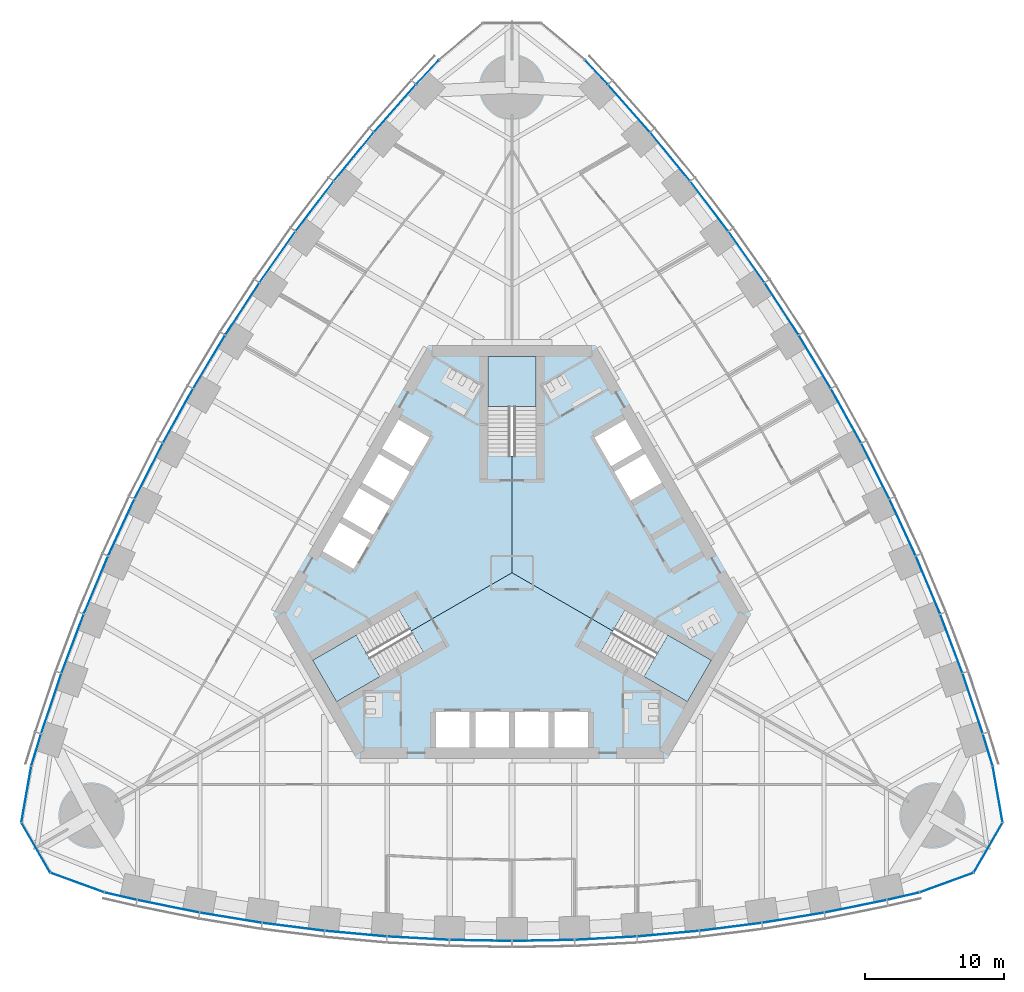
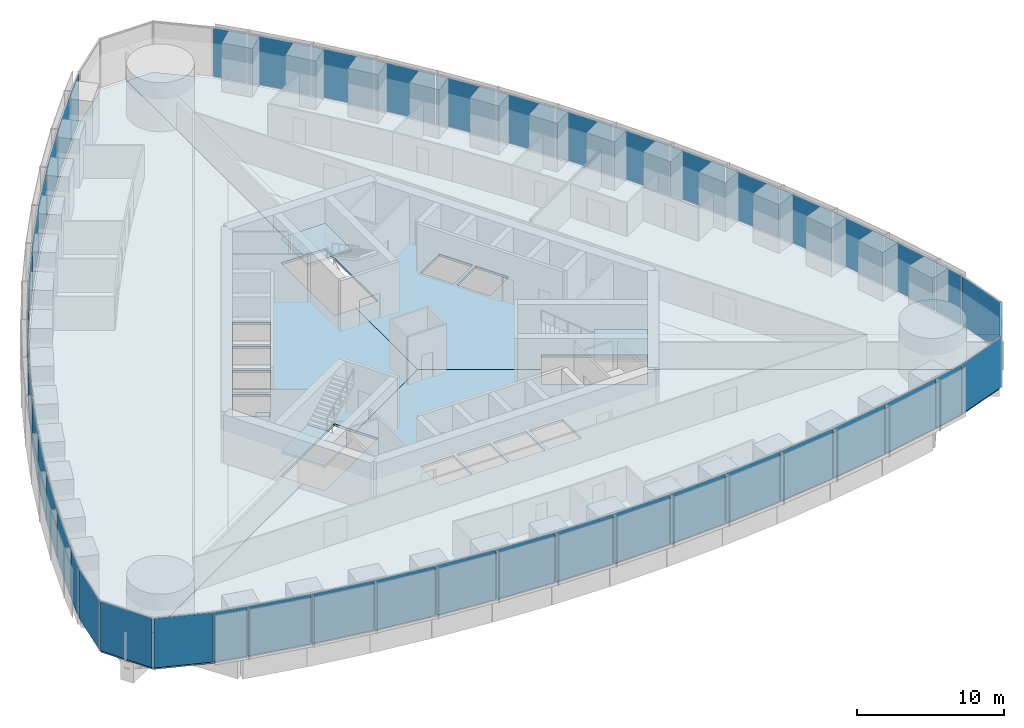
# One storey, part 9 of 18: 48 plates, 6 slabs, 8 elements without a shape of their own.
"""IFC4 building model written with IfcOpenShell, lengths in metres."""

from ifc_helpers import new_model, si_unit, direction, frame, origin, origin_2d, place, context, subcontext, project, spatial, polyline, rectangle, outline, extrude, material, layer, layer_set, type_object, element, aggregate, save


model = new_model("IFC4")

# Units and contexts
model_context = context("Model", 3, precision=1e-05, world=origin(), true_north=direction((0.0, 1.0)))
body_context = subcontext(model_context, "Body", "Model", "MODEL_VIEW")
ifc_project = project(units=[si_unit("LENGTHUNIT", "METRE"), si_unit("AREAUNIT", "SQUARE_METRE"), si_unit("VOLUMEUNIT", "CUBIC_METRE"), si_unit("PLANEANGLEUNIT", "RADIAN"), si_unit("MASSUNIT", "GRAM", prefix="KILO")], contexts=[model_context])

# Site, building, storey
site_placement = place(None, origin())
site = spatial("IfcSite", under=ifc_project, at=site_placement, CompositionType="ELEMENT")
building_placement = place(site_placement, origin())
building = spatial("IfcBuilding", under=site, at=building_placement, Name="Trefoil Bronze Tower", CompositionType="ELEMENT")
storey_placement = place(building_placement, frame((0.0, 0.0, 115.699951171875)))
storey = spatial("IfcBuildingStorey", under=building, at=storey_placement, Name="L26", CompositionType="ELEMENT", Elevation=115.699951171875)

# Curtain wall, plates
ifc_material_1 = material(Name="Tinted solar-control glass", Category="glass")
curtain_wall_type_1 = type_object("IfcCurtainWallType", Name="Bronze office curtain wall", PredefinedType="USERDEFINED", material=ifc_material_1)
curtain_wall_1_placement = place(storey_placement, origin())
curtain_wall_1 = element("IfcCurtainWall", 1, at=curtain_wall_1_placement, inside=storey, type_object=curtain_wall_type_1, Name="CW-A L26 F1", ObjectType="CURTAIN WALL", PredefinedType="USERDEFINED")
ifc_material_2 = material(Name="Tinted solar-control glass", Category="glass")
ifc_layer_1 = layer(ifc_material_2, 0.030029296875)
ifc_layer_set_1 = layer_set([ifc_layer_1], Name="Bronze office curtain wall glass panel")
plate_type_1 = type_object("IfcPlateType", Name="Bronze office curtain wall glass panel", PredefinedType="CURTAIN_PANEL", material=ifc_layer_set_1)
plate_1_placement = place(storey_placement, frame((-28.201416015625, -23.320068359375, 0.0), z_axis=(0.0, 0.0, 1.0), x_axis=(0.97420444715, -0.225667222151, 0.0)))
plate_1 = element("IfcPlate", 2, at=plate_1_placement, type_object=plate_type_1, Name="CW-A L26 F1 panel 1", PredefinedType="CURTAIN_PANEL", context=body_context, shape_type="SweptSolid", body=[
    extrude(rectangle(XDim=2.340087890625, YDim=0.030029296875, at=origin_2d()), origin(), (0.0, 0.0, 1.0), 4.080078125),
])
plate_2_placement = place(storey_placement, frame((-24.769775390625, -24.048828125, 0.0), z_axis=(0.0, 0.0, 1.0), x_axis=(0.980155155547, -0.198231861853, 0.0)))
plate_2 = element("IfcPlate", 3, at=plate_2_placement, type_object=plate_type_1, Name="CW-A L26 F1 panel 2", PredefinedType="CURTAIN_PANEL", context=body_context, shape_type="SweptSolid", body=[
    extrude(rectangle(XDim=4.51123046875, YDim=0.030029296875, at=origin_2d()), origin(), (0.0, 0.0, 1.0), 4.080078125),
])
plate_3_placement = place(storey_placement, frame((-20.26611328125, -24.87451171875, 0.0), z_axis=(0.0, 0.0, 1.0), x_axis=(0.986759655731, -0.162189339418, 0.0)))
plate_3 = element("IfcPlate", 4, at=plate_3_placement, type_object=plate_type_1, Name="CW-A L26 F1 panel 3", PredefinedType="CURTAIN_PANEL", context=body_context, shape_type="SweptSolid", body=[
    extrude(rectangle(XDim=4.48046875, YDim=0.030029296875, at=origin_2d()), origin(), (0.0, 0.0, 1.0), 4.080078125),
])
plate_4_placement = place(storey_placement, frame((-15.7626953125, -25.53076171875, 0.0), z_axis=(0.0, 0.0, 1.0), x_axis=(0.992011554286, -0.126147041833, 0.0)))
plate_4 = element("IfcPlate", 5, at=plate_4_placement, type_object=plate_type_1, Name="CW-A L26 F1 panel 4", PredefinedType="CURTAIN_PANEL", context=body_context, shape_type="SweptSolid", body=[
    extrude(rectangle(XDim=4.456298828125, YDim=0.030029296875, at=origin_2d()), origin(), (0.0, 0.0, 1.0), 4.080078125),
])
plate_5_placement = place(storey_placement, frame((-11.259033203125, -26.02099609375, 0.0), z_axis=(0.0, 0.0, 1.0), x_axis=(0.995932279146, -0.090104913044, 0.0)))
plate_5 = element("IfcPlate", 6, at=plate_5_placement, type_object=plate_type_1, Name="CW-A L26 F1 panel 5", PredefinedType="CURTAIN_PANEL", context=body_context, shape_type="SweptSolid", body=[
    extrude(rectangle(XDim=4.4384765625, YDim=0.030029296875, at=origin_2d()), origin(), (0.0, 0.0, 1.0), 4.080078125),
])
plate_6_placement = place(storey_placement, frame((-6.75537109375, -26.3466796875, 0.0), z_axis=(0.0, 0.0, 1.0), x_axis=(0.998537531923, -0.054062901701, 0.0)))
plate_6 = element("IfcPlate", 7, at=plate_6_placement, type_object=plate_type_1, Name="CW-A L26 F1 panel 6", PredefinedType="CURTAIN_PANEL", context=body_context, shape_type="SweptSolid", body=[
    extrude(rectangle(XDim=4.426513671875, YDim=0.030029296875, at=origin_2d()), origin(), (0.0, 0.0, 1.0), 4.080078125),
])
plate_7_placement = place(storey_placement, frame((-2.251708984375, -26.509033203125, 0.0), z_axis=(0.0, 0.0, 1.0), x_axis=(0.999837609322, -0.018020959612, 0.0)))
plate_7 = element("IfcPlate", 8, at=plate_7_placement, type_object=plate_type_1, Name="CW-A L26 F1 panel 7", PredefinedType="CURTAIN_PANEL", context=body_context, shape_type="SweptSolid", body=[
    extrude(rectangle(XDim=4.420654296875, YDim=0.030029296875, at=origin_2d()), origin(), (0.0, 0.0, 1.0), 4.080078125),
])
plate_8_placement = place(storey_placement, frame((2.251708984375, -26.509033203125, 0.0), z_axis=(0.0, 0.0, 1.0), x_axis=(0.999837609322, 0.018020959612, 0.0)))
plate_8 = element("IfcPlate", 9, at=plate_8_placement, type_object=plate_type_1, Name="CW-A L26 F1 panel 8", PredefinedType="CURTAIN_PANEL", context=body_context, shape_type="SweptSolid", body=[
    extrude(rectangle(XDim=4.420654296875, YDim=0.030029296875, at=origin_2d()), origin(), (0.0, 0.0, 1.0), 4.080078125),
])
plate_9_placement = place(storey_placement, frame((6.75537109375, -26.3466796875, 0.0), z_axis=(0.0, 0.0, 1.0), x_axis=(0.998537531923, 0.054062901701, 0.0)))
plate_9 = element("IfcPlate", 10, at=plate_9_placement, type_object=plate_type_1, Name="CW-A L26 F1 panel 9", PredefinedType="CURTAIN_PANEL", context=body_context, shape_type="SweptSolid", body=[
    extrude(rectangle(XDim=4.426513671875, YDim=0.030029296875, at=origin_2d()), origin(), (0.0, 0.0, 1.0), 4.080078125),
])
plate_10_placement = place(storey_placement, frame((11.259033203125, -26.02099609375, 0.0), z_axis=(0.0, 0.0, 1.0), x_axis=(0.995932279146, 0.090104913044, 0.0)))
plate_10 = element("IfcPlate", 11, at=plate_10_placement, type_object=plate_type_1, Name="CW-A L26 F1 panel 10", PredefinedType="CURTAIN_PANEL", context=body_context, shape_type="SweptSolid", body=[
    extrude(rectangle(XDim=4.4384765625, YDim=0.030029296875, at=origin_2d()), origin(), (0.0, 0.0, 1.0), 4.080078125),
])
plate_11_placement = place(storey_placement, frame((15.7626953125, -25.53076171875, 0.0), z_axis=(0.0, 0.0, 1.0), x_axis=(0.992011554286, 0.126147041833, 0.0)))
plate_11 = element("IfcPlate", 12, at=plate_11_placement, type_object=plate_type_1, Name="CW-A L26 F1 panel 11", PredefinedType="CURTAIN_PANEL", context=body_context, shape_type="SweptSolid", body=[
    extrude(rectangle(XDim=4.456298828125, YDim=0.030029296875, at=origin_2d()), origin(), (0.0, 0.0, 1.0), 4.080078125),
])
plate_12_placement = place(storey_placement, frame((20.26611328125, -24.87451171875, 0.0), z_axis=(0.0, 0.0, 1.0), x_axis=(0.986759655731, 0.162189339418, 0.0)))
plate_12 = element("IfcPlate", 13, at=plate_12_placement, type_object=plate_type_1, Name="CW-A L26 F1 panel 12", PredefinedType="CURTAIN_PANEL", context=body_context, shape_type="SweptSolid", body=[
    extrude(rectangle(XDim=4.48046875, YDim=0.030029296875, at=origin_2d()), origin(), (0.0, 0.0, 1.0), 4.080078125),
])
plate_13_placement = place(storey_placement, frame((24.769775390625, -24.048828125, 0.0), z_axis=(0.0, 0.0, 1.0), x_axis=(0.980155155547, 0.198231861853, 0.0)))
plate_13 = element("IfcPlate", 14, at=plate_13_placement, type_object=plate_type_1, Name="CW-A L26 F1 panel 13", PredefinedType="CURTAIN_PANEL", context=body_context, shape_type="SweptSolid", body=[
    extrude(rectangle(XDim=4.51123046875, YDim=0.030029296875, at=origin_2d()), origin(), (0.0, 0.0, 1.0), 4.080078125),
])
plate_14_placement = place(storey_placement, frame((28.201416015625, -23.320068359375, 0.0), z_axis=(0.0, 0.0, 1.0), x_axis=(0.97420444715, 0.225667222151, 0.0)))
plate_14 = element("IfcPlate", 15, at=plate_14_placement, type_object=plate_type_1, Name="CW-A L26 F1 panel 14", PredefinedType="CURTAIN_PANEL", context=body_context, shape_type="SweptSolid", body=[
    extrude(rectangle(XDim=2.340087890625, YDim=0.030029296875, at=origin_2d()), origin(), (0.0, 0.0, 1.0), 4.080078125),
])
aggregate(curtain_wall_1, [plate_1, plate_2, plate_3, plate_4, plate_5, plate_6, plate_7, plate_8, plate_9, plate_10, plate_11, plate_12, plate_13, plate_14])

curtain_wall_2_placement = place(storey_placement, origin())
curtain_wall_2 = element("IfcCurtainWall", 16, at=curtain_wall_2_placement, inside=storey, type_object=curtain_wall_type_1, Name="CW-A L26 F2", ObjectType="CURTAIN WALL", PredefinedType="USERDEFINED")
plate_15_placement = place(storey_placement, frame((34.296630859375, -12.762939453125, 0.0), z_axis=(0.0, 0.0, 1.0), x_axis=(-0.291668676391, 0.956519410787, 0.0)))
plate_15 = element("IfcPlate", 17, at=plate_15_placement, type_object=plate_type_1, Name="CW-A L26 F2 panel 1", PredefinedType="CURTAIN_PANEL", context=body_context, shape_type="SweptSolid", body=[
    extrude(rectangle(XDim=2.340087890625, YDim=0.030029296875, at=origin_2d()), origin(), (0.0, 0.0, 1.0), 4.080078125),
])
plate_16_placement = place(storey_placement, frame((33.2119140625, -9.4267578125, 0.0), z_axis=(0.0, 0.0, 1.0), x_axis=(-0.318403749569, 0.947955195281, 0.0)))
plate_16 = element("IfcPlate", 18, at=plate_16_placement, type_object=plate_type_1, Name="CW-A L26 F2 panel 2", PredefinedType="CURTAIN_PANEL", context=body_context, shape_type="SweptSolid", body=[
    extrude(rectangle(XDim=4.51123046875, YDim=0.030029296875, at=origin_2d()), origin(), (0.0, 0.0, 1.0), 4.080078125),
])
plate_17_placement = place(storey_placement, frame((31.675048828125, -5.11376953125, 0.0), z_axis=(0.0, 0.0, 1.0), x_axis=(-0.352919739707, 0.935653599002, 0.0)))
plate_17 = element("IfcPlate", 19, at=plate_17_placement, type_object=plate_type_1, Name="CW-A L26 F2 panel 3", PredefinedType="CURTAIN_PANEL", context=body_context, shape_type="SweptSolid", body=[
    extrude(rectangle(XDim=4.48046875, YDim=0.030029296875, at=origin_2d()), origin(), (0.0, 0.0, 1.0), 4.080078125),
])
plate_18_placement = place(storey_placement, frame((29.99169921875, -0.885498046875, 0.0), z_axis=(0.0, 0.0, 1.0), x_axis=(-0.386759234303, 0.922180727776, 0.0)))
plate_18 = element("IfcPlate", 20, at=plate_18_placement, type_object=plate_type_1, Name="CW-A L26 F2 panel 4", PredefinedType="CURTAIN_PANEL", context=body_context, shape_type="SweptSolid", body=[
    extrude(rectangle(XDim=4.456298828125, YDim=0.030029296875, at=origin_2d()), origin(), (0.0, 0.0, 1.0), 4.080078125),
])
plate_19_placement = place(storey_placement, frame((28.164306640625, 3.260009765625, 0.0), z_axis=(0.0, 0.0, 1.0), x_axis=(-0.419932995871, 0.907555110712, 0.0)))
plate_19 = element("IfcPlate", 21, at=plate_19_placement, type_object=plate_type_1, Name="CW-A L26 F2 panel 5", PredefinedType="CURTAIN_PANEL", context=body_context, shape_type="SweptSolid", body=[
    extrude(rectangle(XDim=4.4384765625, YDim=0.030029296875, at=origin_2d()), origin(), (0.0, 0.0, 1.0), 4.080078125),
])
plate_20_placement = place(storey_placement, frame((26.194580078125, 7.322998046875, 0.0), z_axis=(0.0, 0.0, 1.0), x_axis=(-0.452448919686, 0.891790320128, 0.0)))
plate_20 = element("IfcPlate", 22, at=plate_20_placement, type_object=plate_type_1, Name="CW-A L26 F2 panel 6", PredefinedType="CURTAIN_PANEL", context=body_context, shape_type="SweptSolid", body=[
    extrude(rectangle(XDim=4.426513671875, YDim=0.030029296875, at=origin_2d()), origin(), (0.0, 0.0, 1.0), 4.080078125),
])
plate_21_placement = place(storey_placement, frame((24.08349609375, 11.304443359375, 0.0), z_axis=(0.0, 0.0, 1.0), x_axis=(-0.484312195836, 0.874895249138, 0.0)))
plate_21 = element("IfcPlate", 23, at=plate_21_placement, type_object=plate_type_1, Name="CW-A L26 F2 panel 7", PredefinedType="CURTAIN_PANEL", context=body_context, shape_type="SweptSolid", body=[
    extrude(rectangle(XDim=4.420654296875, YDim=0.030029296875, at=origin_2d()), origin(), (0.0, 0.0, 1.0), 4.080078125),
])
plate_22_placement = place(storey_placement, frame((21.83154296875, 15.20458984375, 0.0), z_axis=(0.0, 0.0, 1.0), x_axis=(-0.515525413486, 0.856874289526, 0.0)))
plate_22 = element("IfcPlate", 24, at=plate_22_placement, type_object=plate_type_1, Name="CW-A L26 F2 panel 8", PredefinedType="CURTAIN_PANEL", context=body_context, shape_type="SweptSolid", body=[
    extrude(rectangle(XDim=4.420654296875, YDim=0.030029296875, at=origin_2d()), origin(), (0.0, 0.0, 1.0), 4.080078125),
])
plate_23_placement = place(storey_placement, frame((19.439208984375, 19.023681640625, 0.0), z_axis=(0.0, 0.0, 1.0), x_axis=(-0.546088612237, 0.837727418427, 0.0)))
plate_23 = element("IfcPlate", 25, at=plate_23_placement, type_object=plate_type_1, Name="CW-A L26 F2 panel 9", PredefinedType="CURTAIN_PANEL", context=body_context, shape_type="SweptSolid", body=[
    extrude(rectangle(XDim=4.426513671875, YDim=0.030029296875, at=origin_2d()), origin(), (0.0, 0.0, 1.0), 4.080078125),
])
plate_24_placement = place(storey_placement, frame((16.9052734375, 22.760986328125, 0.0), z_axis=(0.0, 0.0, 1.0), x_axis=(-0.575999283275, 0.817450197667, 0.0)))
plate_24 = element("IfcPlate", 26, at=plate_24_placement, type_object=plate_type_1, Name="CW-A L26 F2 panel 10", PredefinedType="CURTAIN_PANEL", context=body_context, shape_type="SweptSolid", body=[
    extrude(rectangle(XDim=4.4384765625, YDim=0.030029296875, at=origin_2d()), origin(), (0.0, 0.0, 1.0), 4.080078125),
])
plate_25_placement = place(storey_placement, frame((14.22900390625, 26.416259765625, 0.0), z_axis=(0.0, 0.0, 1.0), x_axis=(-0.605252319983, 0.796033685943, 0.0)))
plate_25 = element("IfcPlate", 27, at=plate_25_placement, type_object=plate_type_1, Name="CW-A L26 F2 panel 11", PredefinedType="CURTAIN_PANEL", context=body_context, shape_type="SweptSolid", body=[
    extrude(rectangle(XDim=4.456298828125, YDim=0.030029296875, at=origin_2d()), origin(), (0.0, 0.0, 1.0), 4.080078125),
])
plate_26_placement = place(storey_placement, frame((11.40869140625, 29.98828125, 0.0), z_axis=(0.0, 0.0, 1.0), x_axis=(-0.633839916024, 0.773464259584, 0.0)))
plate_26 = element("IfcPlate", 28, at=plate_26_placement, type_object=plate_type_1, Name="CW-A L26 F2 panel 12", PredefinedType="CURTAIN_PANEL", context=body_context, shape_type="SweptSolid", body=[
    extrude(rectangle(XDim=4.48046875, YDim=0.030029296875, at=origin_2d()), origin(), (0.0, 0.0, 1.0), 4.080078125),
])
plate_27_placement = place(storey_placement, frame((8.442138671875, 33.475830078125, 0.0), z_axis=(0.0, 0.0, 1.0), x_axis=(-0.661751405978, 0.749723333428, 0.0)))
plate_27 = element("IfcPlate", 29, at=plate_27_placement, type_object=plate_type_1, Name="CW-A L26 F2 panel 13", PredefinedType="CURTAIN_PANEL", context=body_context, shape_type="SweptSolid", body=[
    extrude(rectangle(XDim=4.51123046875, YDim=0.030029296875, at=origin_2d()), origin(), (0.0, 0.0, 1.0), 4.080078125),
])
plate_28_placement = place(storey_placement, frame((6.09521484375, 36.083251953125, 0.0), z_axis=(0.0, 0.0, 1.0), x_axis=(-0.682535770759, 0.730852188636, 0.0)))
plate_28 = element("IfcPlate", 30, at=plate_28_placement, type_object=plate_type_1, Name="CW-A L26 F2 panel 14", PredefinedType="CURTAIN_PANEL", context=body_context, shape_type="SweptSolid", body=[
    extrude(rectangle(XDim=2.340087890625, YDim=0.030029296875, at=origin_2d()), origin(), (0.0, 0.0, 1.0), 4.080078125),
])
aggregate(curtain_wall_2, [plate_15, plate_16, plate_17, plate_18, plate_19, plate_20, plate_21, plate_22, plate_23, plate_24, plate_25, plate_26, plate_27, plate_28])

curtain_wall_3_placement = place(storey_placement, origin())
curtain_wall_3 = element("IfcCurtainWall", 31, at=curtain_wall_3_placement, inside=storey, type_object=curtain_wall_type_1, Name="CW-A L26 F3", ObjectType="CURTAIN WALL", PredefinedType="USERDEFINED")
plate_29_placement = place(storey_placement, frame((-6.09521484375, 36.083251953125, 0.0), z_axis=(0.0, 0.0, 1.0), x_axis=(-0.682535770759, -0.730852188636, 0.0)))
plate_29 = element("IfcPlate", 32, at=plate_29_placement, type_object=plate_type_1, Name="CW-A L26 F3 panel 1", PredefinedType="CURTAIN_PANEL", context=body_context, shape_type="SweptSolid", body=[
    extrude(rectangle(XDim=2.340087890625, YDim=0.030029296875, at=origin_2d()), origin(), (0.0, 0.0, 1.0), 4.080078125),
])
plate_30_placement = place(storey_placement, frame((-8.442138671875, 33.475830078125, 0.0), z_axis=(0.0, 0.0, 1.0), x_axis=(-0.661751405978, -0.749723333428, 0.0)))
plate_30 = element("IfcPlate", 33, at=plate_30_placement, type_object=plate_type_1, Name="CW-A L26 F3 panel 2", PredefinedType="CURTAIN_PANEL", context=body_context, shape_type="SweptSolid", body=[
    extrude(rectangle(XDim=4.51123046875, YDim=0.030029296875, at=origin_2d()), origin(), (0.0, 0.0, 1.0), 4.080078125),
])
plate_31_placement = place(storey_placement, frame((-11.40869140625, 29.98828125, 0.0), z_axis=(0.0, 0.0, 1.0), x_axis=(-0.633839916024, -0.773464259584, 0.0)))
plate_31 = element("IfcPlate", 34, at=plate_31_placement, type_object=plate_type_1, Name="CW-A L26 F3 panel 3", PredefinedType="CURTAIN_PANEL", context=body_context, shape_type="SweptSolid", body=[
    extrude(rectangle(XDim=4.48046875, YDim=0.030029296875, at=origin_2d()), origin(), (0.0, 0.0, 1.0), 4.080078125),
])
plate_32_placement = place(storey_placement, frame((-14.22900390625, 26.416259765625, 0.0), z_axis=(0.0, 0.0, 1.0), x_axis=(-0.605252319983, -0.796033685943, 0.0)))
plate_32 = element("IfcPlate", 35, at=plate_32_placement, type_object=plate_type_1, Name="CW-A L26 F3 panel 4", PredefinedType="CURTAIN_PANEL", context=body_context, shape_type="SweptSolid", body=[
    extrude(rectangle(XDim=4.456298828125, YDim=0.030029296875, at=origin_2d()), origin(), (0.0, 0.0, 1.0), 4.080078125),
])
plate_33_placement = place(storey_placement, frame((-16.9052734375, 22.760986328125, 0.0), z_axis=(0.0, 0.0, 1.0), x_axis=(-0.575999283275, -0.817450197667, 0.0)))
plate_33 = element("IfcPlate", 36, at=plate_33_placement, type_object=plate_type_1, Name="CW-A L26 F3 panel 5", PredefinedType="CURTAIN_PANEL", context=body_context, shape_type="SweptSolid", body=[
    extrude(rectangle(XDim=4.4384765625, YDim=0.030029296875, at=origin_2d()), origin(), (0.0, 0.0, 1.0), 4.080078125),
])
plate_34_placement = place(storey_placement, frame((-19.439208984375, 19.023681640625, 0.0), z_axis=(0.0, 0.0, 1.0), x_axis=(-0.546088612237, -0.837727418427, 0.0)))
plate_34 = element("IfcPlate", 37, at=plate_34_placement, type_object=plate_type_1, Name="CW-A L26 F3 panel 6", PredefinedType="CURTAIN_PANEL", context=body_context, shape_type="SweptSolid", body=[
    extrude(rectangle(XDim=4.426513671875, YDim=0.030029296875, at=origin_2d()), origin(), (0.0, 0.0, 1.0), 4.080078125),
])
plate_35_placement = place(storey_placement, frame((-21.83154296875, 15.20458984375, 0.0), z_axis=(0.0, 0.0, 1.0), x_axis=(-0.515525413486, -0.856874289526, 0.0)))
plate_35 = element("IfcPlate", 38, at=plate_35_placement, type_object=plate_type_1, Name="CW-A L26 F3 panel 7", PredefinedType="CURTAIN_PANEL", context=body_context, shape_type="SweptSolid", body=[
    extrude(rectangle(XDim=4.420654296875, YDim=0.030029296875, at=origin_2d()), origin(), (0.0, 0.0, 1.0), 4.080078125),
])
plate_36_placement = place(storey_placement, frame((-24.08349609375, 11.304443359375, 0.0), z_axis=(0.0, 0.0, 1.0), x_axis=(-0.484312195836, -0.874895249138, 0.0)))
plate_36 = element("IfcPlate", 39, at=plate_36_placement, type_object=plate_type_1, Name="CW-A L26 F3 panel 8", PredefinedType="CURTAIN_PANEL", context=body_context, shape_type="SweptSolid", body=[
    extrude(rectangle(XDim=4.420654296875, YDim=0.030029296875, at=origin_2d()), origin(), (0.0, 0.0, 1.0), 4.080078125),
])
plate_37_placement = place(storey_placement, frame((-26.194580078125, 7.322998046875, 0.0), z_axis=(0.0, 0.0, 1.0), x_axis=(-0.452448919686, -0.891790320128, 0.0)))
plate_37 = element("IfcPlate", 40, at=plate_37_placement, type_object=plate_type_1, Name="CW-A L26 F3 panel 9", PredefinedType="CURTAIN_PANEL", context=body_context, shape_type="SweptSolid", body=[
    extrude(rectangle(XDim=4.426513671875, YDim=0.030029296875, at=origin_2d()), origin(), (0.0, 0.0, 1.0), 4.080078125),
])
plate_38_placement = place(storey_placement, frame((-28.164306640625, 3.260009765625, 0.0), z_axis=(0.0, 0.0, 1.0), x_axis=(-0.419932995871, -0.907555110712, 0.0)))
plate_38 = element("IfcPlate", 41, at=plate_38_placement, type_object=plate_type_1, Name="CW-A L26 F3 panel 10", PredefinedType="CURTAIN_PANEL", context=body_context, shape_type="SweptSolid", body=[
    extrude(rectangle(XDim=4.4384765625, YDim=0.030029296875, at=origin_2d()), origin(), (0.0, 0.0, 1.0), 4.080078125),
])
plate_39_placement = place(storey_placement, frame((-29.99169921875, -0.885498046875, 0.0), z_axis=(0.0, 0.0, 1.0), x_axis=(-0.386759234303, -0.922180727776, 0.0)))
plate_39 = element("IfcPlate", 42, at=plate_39_placement, type_object=plate_type_1, Name="CW-A L26 F3 panel 11", PredefinedType="CURTAIN_PANEL", context=body_context, shape_type="SweptSolid", body=[
    extrude(rectangle(XDim=4.456298828125, YDim=0.030029296875, at=origin_2d()), origin(), (0.0, 0.0, 1.0), 4.080078125),
])
plate_40_placement = place(storey_placement, frame((-31.675048828125, -5.11376953125, 0.0), z_axis=(0.0, 0.0, 1.0), x_axis=(-0.352919739707, -0.935653599002, 0.0)))
plate_40 = element("IfcPlate", 43, at=plate_40_placement, type_object=plate_type_1, Name="CW-A L26 F3 panel 12", PredefinedType="CURTAIN_PANEL", context=body_context, shape_type="SweptSolid", body=[
    extrude(rectangle(XDim=4.48046875, YDim=0.030029296875, at=origin_2d()), origin(), (0.0, 0.0, 1.0), 4.080078125),
])
plate_41_placement = place(storey_placement, frame((-33.2119140625, -9.4267578125, 0.0), z_axis=(0.0, 0.0, 1.0), x_axis=(-0.318403749569, -0.947955195281, 0.0)))
plate_41 = element("IfcPlate", 44, at=plate_41_placement, type_object=plate_type_1, Name="CW-A L26 F3 panel 13", PredefinedType="CURTAIN_PANEL", context=body_context, shape_type="SweptSolid", body=[
    extrude(rectangle(XDim=4.51123046875, YDim=0.030029296875, at=origin_2d()), origin(), (0.0, 0.0, 1.0), 4.080078125),
])
plate_42_placement = place(storey_placement, frame((-34.296630859375, -12.762939453125, 0.0), z_axis=(0.0, 0.0, 1.0), x_axis=(-0.291668676391, -0.956519410787, 0.0)))
plate_42 = element("IfcPlate", 45, at=plate_42_placement, type_object=plate_type_1, Name="CW-A L26 F3 panel 14", PredefinedType="CURTAIN_PANEL", context=body_context, shape_type="SweptSolid", body=[
    extrude(rectangle(XDim=2.340087890625, YDim=0.030029296875, at=origin_2d()), origin(), (0.0, 0.0, 1.0), 4.080078125),
])
aggregate(curtain_wall_3, [plate_29, plate_30, plate_31, plate_32, plate_33, plate_34, plate_35, plate_36, plate_37, plate_38, plate_39, plate_40, plate_41, plate_42])

ifc_material_3 = material(Name="Tinted solar-control glass", Category="glass")
curtain_wall_type_2 = type_object("IfcCurtainWallType", Name="Bronze rounded corner curtain wall", PredefinedType="USERDEFINED", material=ifc_material_3)
curtain_wall_4_placement = place(storey_placement, origin())
curtain_wall_4 = element("IfcCurtainWall", 46, at=curtain_wall_4_placement, inside=storey, type_object=curtain_wall_type_2, Name="CW-B L26 K1", ObjectType="CURTAIN WALL", PredefinedType="USERDEFINED")
ifc_material_4 = material(Name="Tinted solar-control glass", Category="glass")
ifc_layer_2 = layer(ifc_material_4, 0.030029296875)
ifc_layer_set_2 = layer_set([ifc_layer_2], Name="Bronze rounded corner curtain wall glass panel")
plate_type_2 = type_object("IfcPlateType", Name="Bronze rounded corner curtain wall glass panel", PredefinedType="CURTAIN_PANEL", material=ifc_layer_set_2)
plate_43_placement = place(storey_placement, frame((31.3203125, -22.341796875, 0.0), z_axis=(0.0, 0.0, 1.0), x_axis=(0.939692620786, 0.342020143326, 0.0)))
plate_43 = element("IfcPlate", 47, at=plate_43_placement, type_object=plate_type_2, Name="CW-B L26 K1 panel 1", PredefinedType="CURTAIN_PANEL", context=body_context, shape_type="SweptSolid", body=[
    extrude(rectangle(XDim=4.044189453125, YDim=0.030029296875, at=origin_2d()), origin(), (0.0, 0.0, 1.0), 4.080078125),
])
plate_44_placement = place(storey_placement, frame((34.3271484375, -19.81884765625, 0.0), z_axis=(0.0, 0.0, 1.0), x_axis=(0.5, 0.866025403784, 0.0)))
plate_44 = element("IfcPlate", 48, at=plate_44_placement, type_object=plate_type_2, Name="CW-B L26 K1 panel 2", PredefinedType="CURTAIN_PANEL", context=body_context, shape_type="SweptSolid", body=[
    extrude(rectangle(XDim=4.044189453125, YDim=0.030029296875, at=origin_2d()), origin(), (0.0, 0.0, 1.0), 4.080078125),
])
plate_45_placement = place(storey_placement, frame((35.0087890625, -15.953369140625, 0.0), z_axis=(0.0, 0.0, 1.0), x_axis=(-0.173648177667, 0.984807753012, 0.0)))
plate_45 = element("IfcPlate", 49, at=plate_45_placement, type_object=plate_type_2, Name="CW-B L26 K1 panel 3", PredefinedType="CURTAIN_PANEL", context=body_context, shape_type="SweptSolid", body=[
    extrude(rectangle(XDim=4.044189453125, YDim=0.030029296875, at=origin_2d()), origin(), (0.0, 0.0, 1.0), 4.080078125),
])
aggregate(curtain_wall_4, [plate_43, plate_44, plate_45])

curtain_wall_5_placement = place(storey_placement, origin())
curtain_wall_5 = element("IfcCurtainWall", 50, at=curtain_wall_5_placement, inside=storey, type_object=curtain_wall_type_2, Name="CW-B L26 K3", ObjectType="CURTAIN WALL", PredefinedType="USERDEFINED")
plate_46_placement = place(storey_placement, frame((-35.0087890625, -15.953369140625, 0.0), z_axis=(0.0, 0.0, 1.0), x_axis=(-0.173648177667, -0.984807753012, 0.0)))
plate_46 = element("IfcPlate", 51, at=plate_46_placement, type_object=plate_type_2, Name="CW-B L26 K3 panel 1", PredefinedType="CURTAIN_PANEL", context=body_context, shape_type="SweptSolid", body=[
    extrude(rectangle(XDim=4.044189453125, YDim=0.030029296875, at=origin_2d()), origin(), (0.0, 0.0, 1.0), 4.080078125),
])
plate_47_placement = place(storey_placement, frame((-34.3271484375, -19.81884765625, 0.0), z_axis=(0.0, 0.0, 1.0), x_axis=(0.5, -0.866025403784, 0.0)))
plate_47 = element("IfcPlate", 52, at=plate_47_placement, type_object=plate_type_2, Name="CW-B L26 K3 panel 2", PredefinedType="CURTAIN_PANEL", context=body_context, shape_type="SweptSolid", body=[
    extrude(rectangle(XDim=4.044189453125, YDim=0.030029296875, at=origin_2d()), origin(), (0.0, 0.0, 1.0), 4.080078125),
])
plate_48_placement = place(storey_placement, frame((-31.3203125, -22.341796875, 0.0), z_axis=(0.0, 0.0, 1.0), x_axis=(0.939692620786, -0.342020143326, 0.0)))
plate_48 = element("IfcPlate", 53, at=plate_48_placement, type_object=plate_type_2, Name="CW-B L26 K3 panel 3", PredefinedType="CURTAIN_PANEL", context=body_context, shape_type="SweptSolid", body=[
    extrude(rectangle(XDim=4.044189453125, YDim=0.030029296875, at=origin_2d()), origin(), (0.0, 0.0, 1.0), 4.080078125),
])
aggregate(curtain_wall_5, [plate_46, plate_47, plate_48])

# Slabs
ifc_material_5 = material(Name="Concrete B30", Category="concrete")
ifc_layer_3 = layer(ifc_material_5, 0.199951171875)
ifc_layer_set_3 = layer_set([ifc_layer_3], Name="Floor slab 200")
slab_type_1 = type_object("IfcSlabType", Name="Floor slab 200", PredefinedType="FLOOR", material=ifc_layer_set_3)
slab_1_placement = place(storey_placement, frame((0.0, 0.0, -0.199951171875)))
element("IfcSlab", 54, at=slab_1_placement, inside=storey, type_object=slab_type_1, Name="Floor slab L26 face 1", PredefinedType="FLOOR", context=body_context, shape_type="SweptSolid", body=[
    extrude(outline(polyline([(22.5, -24.406005859375), (18.0, -25.1455078125), (13.5, -25.7177734375), (9.0, -26.125), (4.5, -26.36865234375), (0.0, -26.44970703125), (-4.5, -26.36865234375), (-9.0, -26.125), (-13.5, -25.7177734375), (-18.0, -25.1455078125), (-22.5, -24.406005859375), (-27.0, -23.495849609375), (-29.357666015625, -22.94970703125), (-33.21435546875, -21.5458984375), (-34.240478515625, -19.768798828125), (-13.510009765625, -7.800048828125), (-12.6474609375, -9.2939453125), (-6.412109375, -5.69384765625), (-7.274658203125, -4.199951171875), (0.0, 0.0), (7.274658203125, -4.199951171875), (6.412109375, -5.69384765625), (12.6474609375, -9.2939453125), (13.510009765625, -7.800048828125), (34.240478515625, -19.768798828125), (33.21435546875, -21.5458984375), (29.357666015625, -22.94970703125), (27.0, -23.495849609375), (22.5, -24.406005859375)]), holes=[polyline([(-5.574951171875, -10.02490234375), (-2.97509765625, -10.02490234375), (-2.97509765625, -12.60009765625), (-5.574951171875, -12.60009765625), (-5.574951171875, -10.02490234375)]), polyline([(-2.72509765625, -10.02490234375), (-0.125, -10.02490234375), (-0.125, -12.60009765625), (-2.72509765625, -12.60009765625), (-2.72509765625, -10.02490234375)]), polyline([(0.125, -10.02490234375), (2.72509765625, -10.02490234375), (2.72509765625, -12.60009765625), (0.125, -12.60009765625), (0.125, -10.02490234375)]), polyline([(2.97509765625, -10.02490234375), (5.574951171875, -10.02490234375), (5.574951171875, -12.60009765625), (2.97509765625, -12.60009765625), (2.97509765625, -10.02490234375)])]), origin(), (0.0, 0.0, 1.0), 0.199951171875),
])
slab_2_placement = place(storey_placement, frame((0.0, 0.0, -0.199951171875)))
element("IfcSlab", 55, at=slab_2_placement, inside=storey, type_object=slab_type_1, Name="Floor slab L26 face 2", PredefinedType="FLOOR", context=body_context, shape_type="SweptSolid", body=[
    extrude(outline(polyline([(9.88623046875, 31.6884765625), (12.776611328125, 28.1611328125), (15.522216796875, 24.55029296875), (18.124755859375, 20.856689453125), (20.5859375, 17.081298828125), (22.906005859375, 13.224853515625), (25.0859375, 9.287109375), (27.124755859375, 5.268310546875), (29.022216796875, 1.16748046875), (30.776611328125, -3.015625), (32.38623046875, -7.28271484375), (33.847900390625, -11.634765625), (34.553955078125, -13.94970703125), (35.2666015625, -17.991455078125), (34.240478515625, -19.768798828125), (13.510009765625, -7.800048828125), (14.37255859375, -6.30615234375), (8.13720703125, -2.7060546875), (7.274658203125, -4.199951171875), (0.0, 0.0), (0.0, 8.39990234375), (1.72509765625, 8.39990234375), (1.72509765625, 15.60009765625), (0.0, 15.60009765625), (0.0, 39.53759765625), (2.052001953125, 39.53759765625), (5.196044921875, 36.8994140625), (6.847900390625, 35.130615234375), (9.88623046875, 31.6884765625)]), holes=[polyline([(8.619384765625, 5.120849609375), (7.3193359375, 7.372314453125), (9.54931640625, 8.659912109375), (10.849365234375, 6.408203125), (8.619384765625, 5.120849609375)]), polyline([(7.1943359375, 7.5888671875), (5.894287109375, 9.840576171875), (8.12451171875, 11.128173828125), (9.42431640625, 8.87646484375), (7.1943359375, 7.5888671875)])]), origin(), (0.0, 0.0, 1.0), 0.199951171875),
])
slab_3_placement = place(storey_placement, frame((0.0, 0.0, -0.199951171875)))
element("IfcSlab", 56, at=slab_3_placement, inside=storey, type_object=slab_type_1, Name="Floor slab L26 face 3", PredefinedType="FLOOR", context=body_context, shape_type="SweptSolid", body=[
    extrude(outline(polyline([(-32.38623046875, -7.28271484375), (-30.776611328125, -3.015625), (-29.022216796875, 1.16748046875), (-27.124755859375, 5.268310546875), (-25.0859375, 9.287109375), (-22.906005859375, 13.224853515625), (-20.5859375, 17.081298828125), (-18.124755859375, 20.856689453125), (-15.522216796875, 24.55029296875), (-12.776611328125, 28.1611328125), (-9.88623046875, 31.6884765625), (-6.847900390625, 35.130615234375), (-5.196044921875, 36.8994140625), (-2.052001953125, 39.53759765625), (0.0, 39.53759765625), (0.0, 15.60009765625), (-1.72509765625, 15.60009765625), (-1.72509765625, 8.39990234375), (0.0, 8.39990234375), (0.0, 0.0), (-7.274658203125, -4.199951171875), (-8.13720703125, -2.7060546875), (-14.37255859375, -6.30615234375), (-13.510009765625, -7.800048828125), (-34.240478515625, -19.768798828125), (-35.2666015625, -17.991455078125), (-34.553955078125, -13.94970703125), (-33.847900390625, -11.634765625), (-32.38623046875, -7.28271484375)]), holes=[polyline([(-5.894287109375, 9.840576171875), (-7.1943359375, 7.5888671875), (-9.42431640625, 8.87646484375), (-8.12451171875, 11.128173828125), (-5.894287109375, 9.840576171875)]), polyline([(-7.3193359375, 7.372314453125), (-8.619384765625, 5.120849609375), (-10.849365234375, 6.408203125), (-9.54931640625, 8.659912109375), (-7.3193359375, 7.372314453125)]), polyline([(-8.744384765625, 4.904296875), (-10.04443359375, 2.652587890625), (-12.2744140625, 3.940185546875), (-10.974365234375, 6.191650390625), (-8.744384765625, 4.904296875)]), polyline([(-10.16943359375, 2.43603515625), (-11.469482421875, 0.184326171875), (-13.699462890625, 1.471923828125), (-12.3994140625, 3.7236328125), (-10.16943359375, 2.43603515625)])]), origin(), (0.0, 0.0, 1.0), 0.199951171875),
])

# Stair, slab
ifc_material_6 = material(Name="Precast concrete B80", Category="concrete")
stair_type = type_object("IfcStairType", Name="Exit stair 26 risers", PredefinedType="HALF_TURN_STAIR", material=ifc_material_6)
stair_1_placement = place(storey_placement, origin())
stair_1 = element("IfcStair", 57, at=stair_1_placement, inside=storey, type_object=stair_type, Name="Stair ST1 L26", PredefinedType="HALF_TURN_STAIR")
ifc_material_7 = material(Name="Concrete B30", Category="concrete")
ifc_layer_4 = layer(ifc_material_7, 0.199951171875)
ifc_layer_set_4 = layer_set([ifc_layer_4], Name="Stair landing 200")
slab_type_2 = type_object("IfcSlabType", Name="Stair landing 200", PredefinedType="LANDING", material=ifc_layer_set_4)
slab_4_placement = place(storey_placement, frame((0.0, 0.0, 1.900146484375)))
slab_4 = element("IfcSlab", 58, at=slab_4_placement, type_object=slab_type_2, Name="ST1 landing 1", PredefinedType="LANDING", context=body_context, shape_type="SweptSolid", body=[
    extrude(outline(polyline([(9.512451171875, -7.48388671875), (12.6474609375, -9.2939453125), (14.37255859375, -6.30615234375), (11.237548828125, -4.49609375), (9.512451171875, -7.48388671875)])), origin(), (0.0, 0.0, 1.0), 0.199951171875),
])
aggregate(stair_1, [slab_4])

stair_2_placement = place(storey_placement, origin())
stair_2 = element("IfcStair", 59, at=stair_2_placement, inside=storey, type_object=stair_type, Name="Stair ST2 L26", PredefinedType="HALF_TURN_STAIR")
slab_5_placement = place(storey_placement, frame((0.0, 0.0, 1.900146484375)))
slab_5 = element("IfcSlab", 60, at=slab_5_placement, type_object=slab_type_2, Name="ST2 landing 1", PredefinedType="LANDING", context=body_context, shape_type="SweptSolid", body=[
    extrude(outline(polyline([(1.72509765625, 11.97998046875), (1.72509765625, 15.60009765625), (-1.72509765625, 15.60009765625), (-1.72509765625, 11.97998046875), (1.72509765625, 11.97998046875)])), origin(), (0.0, 0.0, 1.0), 0.199951171875),
])
aggregate(stair_2, [slab_5])

stair_3_placement = place(storey_placement, origin())
stair_3 = element("IfcStair", 61, at=stair_3_placement, inside=storey, type_object=stair_type, Name="Stair ST3 L26", PredefinedType="HALF_TURN_STAIR")
slab_6_placement = place(storey_placement, frame((0.0, 0.0, 1.900146484375)))
slab_6 = element("IfcSlab", 62, at=slab_6_placement, type_object=slab_type_2, Name="ST3 landing 1", PredefinedType="LANDING", context=body_context, shape_type="SweptSolid", body=[
    extrude(outline(polyline([(-11.237548828125, -4.49609375), (-14.37255859375, -6.30615234375), (-12.6474609375, -9.2939453125), (-9.512451171875, -7.48388671875), (-11.237548828125, -4.49609375)])), origin(), (0.0, 0.0, 1.0), 0.199951171875),
])
aggregate(stair_3, [slab_6])

save(model, "model.ifc")
